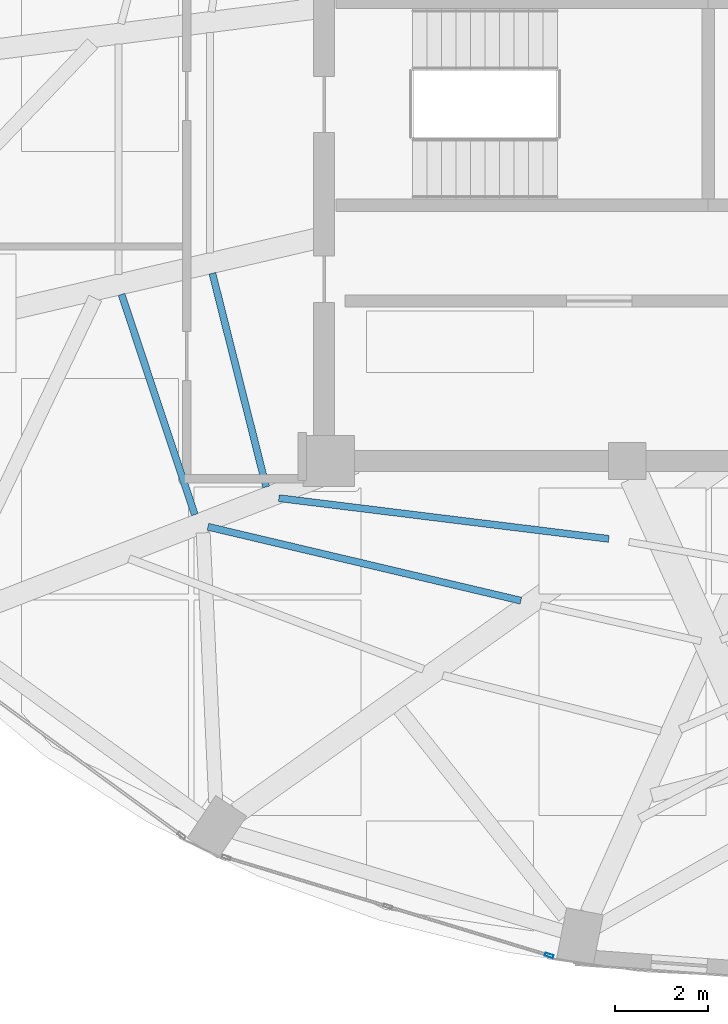
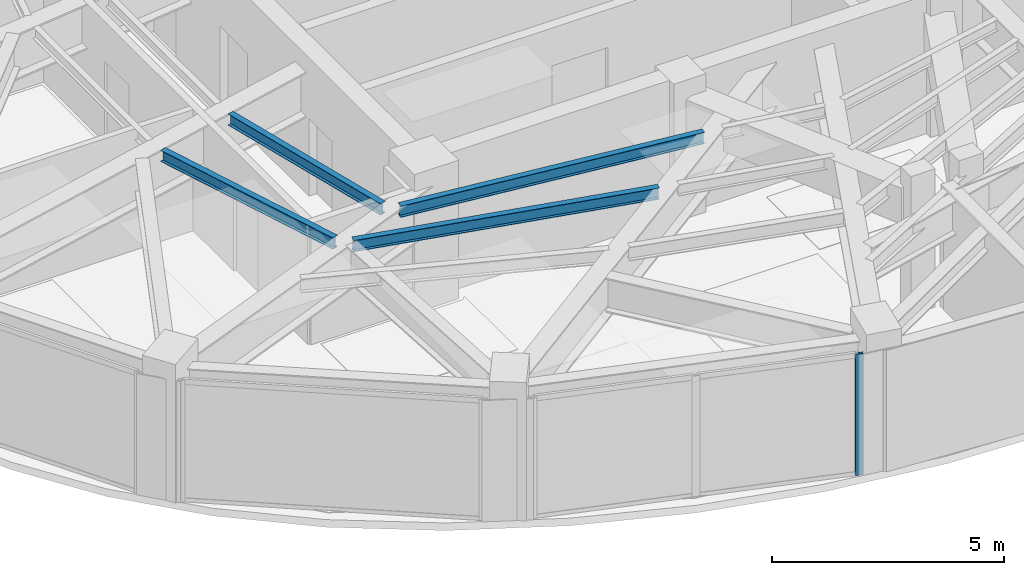
# One storey, part 5 of 23: 4 beams, 1 member, 1 element without a shape of its own.
"""IFC4 building model written with IfcOpenShell, lengths in metres."""

from ifc_helpers import new_model, si_unit, direction, frame, origin, origin_2d, place, context, subcontext, project, spatial, hollow_rectangle, i_section, extrude, material, layer, layer_set, material_profile, profile_set, type_object, element, aggregate, save


model = new_model("IFC4")

# Units and contexts
model_context = context("Model", 3, precision=1e-05, world=origin(), true_north=direction((0.0, 1.0)))
body_context = subcontext(model_context, "Body", "Model", "MODEL_VIEW")
ifc_project = project(units=[si_unit("LENGTHUNIT", "METRE"), si_unit("AREAUNIT", "SQUARE_METRE"), si_unit("VOLUMEUNIT", "CUBIC_METRE"), si_unit("PLANEANGLEUNIT", "RADIAN"), si_unit("MASSUNIT", "GRAM", prefix="KILO")], contexts=[model_context])

# Site, building, storey
site_placement = place(None, origin())
site = spatial("IfcSite", under=ifc_project, at=site_placement, CompositionType="ELEMENT")
building_placement = place(site_placement, origin())
building = spatial("IfcBuilding", under=site, at=building_placement, Name="Lazwardi Medical Tower", CompositionType="ELEMENT")
storey_placement = place(building_placement, frame((0.0, 0.0, 265.968017578125)))
storey = spatial("IfcBuildingStorey", under=building, at=storey_placement, Name="L69", CompositionType="ELEMENT", Elevation=265.968017578125)

# Beams
ifc_material_1 = material(Name="Steel S355", Category="steel")
ifc_material_profile_1 = material_profile(ifc_material_1, i_section(OverallWidth=0.14990234375, OverallDepth=0.300048828125, WebThickness=0.007080078125, FlangeThickness=0.0107421875, at=origin_2d()), Name="IPE 300")
ifc_profile_set_1 = profile_set([ifc_material_profile_1], Name="Steel S355")
beam_type = type_object("IfcBeamType", Name="BM-SJ-03", PredefinedType="JOIST", material=ifc_profile_set_1)
beam_1_placement = place(storey_placement, frame((21.953857421875, 23.972412109375, 3.048095703125), z_axis=(0.315462786105, -0.948937948753, 0.0), x_axis=(0.948937948753, 0.315462786105, 0.0)))
element("IfcBeam", 1, at=beam_1_placement, inside=storey, type_object=beam_type, Name="Secondary joist SJ-03 R3 B13 L69", PredefinedType="JOIST", context=body_context, shape_type="SweptSolid", body=[
    extrude(i_section(OverallWidth=0.14990234375, OverallDepth=0.300048828125, WebThickness=0.007080078125, FlangeThickness=0.0107421875, at=origin_2d()), origin(), (0.0, 0.0, 1.0), 4.979248046875),
])
beam_2_placement = place(storey_placement, frame((23.80810546875, 18.988037109375, 3.048095703125), z_axis=(0.973237182434, -0.229802930199, 0.0), x_axis=(0.229802930199, 0.973237182434, 0.0)))
element("IfcBeam", 2, at=beam_2_placement, inside=storey, type_object=beam_type, Name="Secondary joist SJ-03 R3 B14 L69", PredefinedType="JOIST", context=body_context, shape_type="SweptSolid", body=[
    extrude(i_section(OverallWidth=0.14990234375, OverallDepth=0.300048828125, WebThickness=0.007080078125, FlangeThickness=0.0107421875, at=origin_2d()), origin(), (0.0, 0.0, 1.0), 6.89599609375),
])
beam_3_placement = place(storey_placement, frame((23.902587890625, 24.4248046875, 3.048095703125), z_axis=(0.244249147709, -0.969712510924, 0.0), x_axis=(0.969712510924, 0.244249147709, 0.0)))
element("IfcBeam", 3, at=beam_3_placement, inside=storey, type_object=beam_type, Name="Secondary joist SJ-03 R4 B13 L69", PredefinedType="JOIST", context=body_context, shape_type="SweptSolid", body=[
    extrude(i_section(OverallWidth=0.14990234375, OverallDepth=0.300048828125, WebThickness=0.007080078125, FlangeThickness=0.0107421875, at=origin_2d()), origin(), (0.0, 0.0, 1.0), 4.725830078125),
])
beam_4_placement = place(storey_placement, frame((25.328857421875, 19.601806640625, 3.048095703125), z_axis=(0.992470013453, -0.122487845914, 0.0), x_axis=(0.122487845914, 0.992470013453, 0.0)))
element("IfcBeam", 4, at=beam_4_placement, inside=storey, type_object=beam_type, Name="Secondary joist SJ-03 R4 B14 L69", PredefinedType="JOIST", context=body_context, shape_type="SweptSolid", body=[
    extrude(i_section(OverallWidth=0.14990234375, OverallDepth=0.300048828125, WebThickness=0.007080078125, FlangeThickness=0.0107421875, at=origin_2d()), origin(), (0.0, 0.0, 1.0), 7.129638671875),
])

# Curtain wall, member
ifc_material_2 = material(Name="Anodised bronze aluminium and solar control glazing", Category="aluminium")
ifc_layer = layer(ifc_material_2, 0.18994140625)
ifc_layer_set = layer_set([ifc_layer], Name="Anodised bronze aluminium and solar control glazing")
curtain_wall_type = type_object("IfcCurtainWallType", Name="CW-SYS-04", PredefinedType="NOTDEFINED", material=ifc_layer_set)
curtain_wall_placement = place(storey_placement, origin())
curtain_wall = element("IfcCurtainWall", 5, at=curtain_wall_placement, inside=storey, type_object=curtain_wall_type, Name="L69 Unitised bronze curtain wall CW-04", PredefinedType="NOTDEFINED")
ifc_material_3 = material(Name="Anodised bronze aluminium", Category="aluminium")
ifc_material_profile_2 = material_profile(ifc_material_3, hollow_rectangle(XDim=0.06494140625, YDim=0.179931640625, WallThickness=0.00390625, at=origin_2d()), Name="ALU-MULLION 180x65x4")
ifc_profile_set_2 = profile_set([ifc_material_profile_2], Name="Anodised bronze aluminium")
member_type = type_object("IfcMemberType", Name="CW-MUL-03", PredefinedType="MULLION", material=ifc_profile_set_2)
member_placement = place(storey_placement, frame((31.126953125, 9.79296875, 0.0), z_axis=(0.0, 0.0, 1.0), x_axis=(0.290581889515, 0.956850126972, 0.0)))
member = element("IfcMember", 6, at=member_placement, type_object=member_type, Name="CW-04 mullion 3", PredefinedType="MULLION", context=body_context, shape_type="SweptSolid", body=[
    extrude(hollow_rectangle(XDim=0.06494140625, YDim=0.179931640625, WallThickness=0.00390625, at=origin_2d()), origin(), (0.0, 0.0, 1.0), 3.197998046875),
])
aggregate(curtain_wall, [member])

save(model, "model.ifc")
